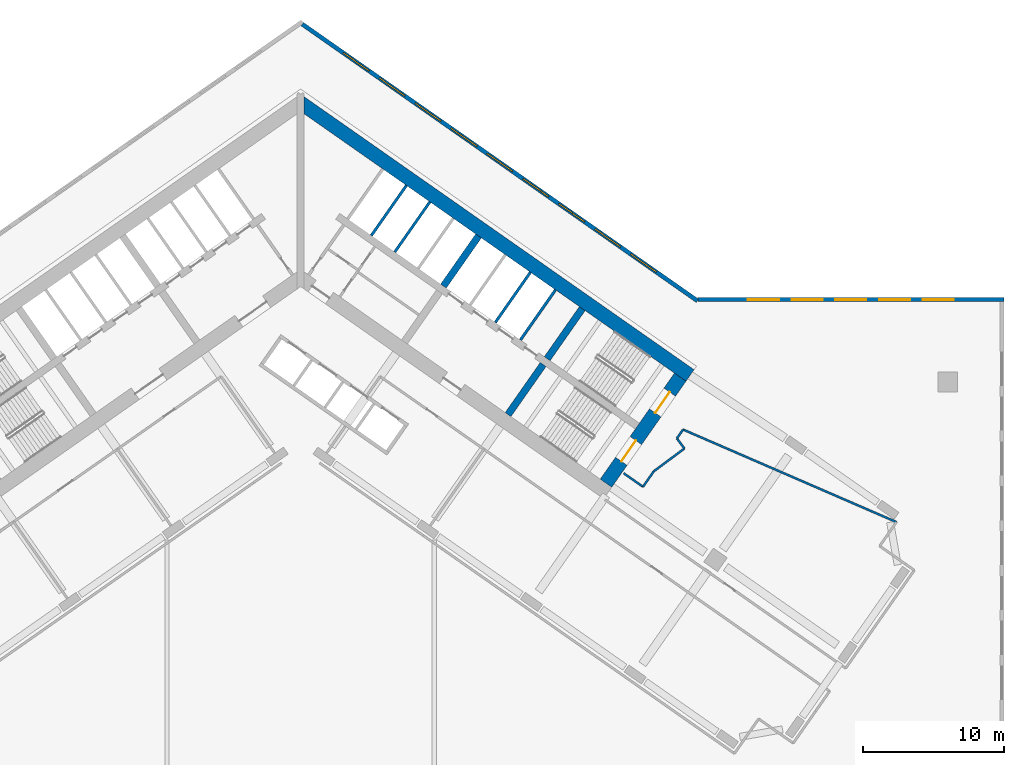
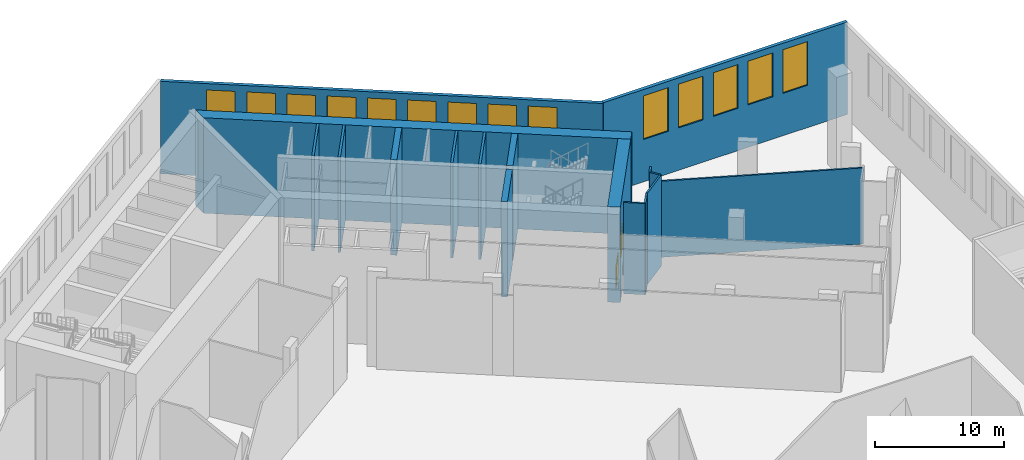
# One storey, part 12 of 27: 17 walls, 14 windows, 2 doors, 16 openings.
"""IFC4 building model written with IfcOpenShell, lengths in metres."""

from ifc_helpers import new_model, si_unit, direction, frame, frame_2d, origin, place, context, subcontext, project, spatial, polyline, rectangle, outline, extrude, material, layer, layer_set, type_object, element, fill, save


model = new_model("IFC4")

# Units and contexts
model_context = context("Model", 3, precision=1e-05, world=origin(), true_north=direction((0.0, 1.0)))
body_context = subcontext(model_context, "Body", "Model", "MODEL_VIEW")
ifc_project = project(units=[si_unit("LENGTHUNIT", "METRE"), si_unit("AREAUNIT", "SQUARE_METRE"), si_unit("VOLUMEUNIT", "CUBIC_METRE"), si_unit("PLANEANGLEUNIT", "RADIAN"), si_unit("MASSUNIT", "GRAM", prefix="KILO")], contexts=[model_context])

# Site, building, storey
site_placement = place(None, origin())
site = spatial("IfcSite", under=ifc_project, at=site_placement, CompositionType="ELEMENT")
building_placement = place(site_placement, origin())
building = spatial("IfcBuilding", under=site, at=building_placement, Name="Tel Ilan Convention Tower", CompositionType="ELEMENT")
storey_placement = place(building_placement, frame((0.0, 0.0, 9.0)))
storey = spatial("IfcBuildingStorey", under=building, at=storey_placement, Name="L01", CompositionType="ELEMENT", Elevation=9.0)

# Wall
ifc_material_1 = material(Name="Concrete C60/75", Category="concrete")
ifc_layer_1 = layer(ifc_material_1, 1.0)
ifc_layer_set_1 = layer_set([ifc_layer_1], Name="Core Shear Wall 1000 mm C60/75")
wall_type_1 = type_object("IfcWallType", Name="Core Shear Wall 1000 mm C60/75", PredefinedType="SHEAR", material=ifc_layer_set_1)
wall_1_placement = place(storey_placement, frame((-0.036865234375, 11.8671875, 0.0), z_axis=(0.0, 0.0, 1.0), x_axis=(0.819155306259, -0.573571777746, 0.0)))
element("IfcWall", 1, at=wall_1_placement, inside=storey, type_object=wall_type_1, Name="L01 core wall E-back", PredefinedType="SHEAR", context=body_context, shape_type="SweptSolid", body=[
    extrude(outline(polyline([(33.8369140625, 0.5), (0.0, 0.5), (0.7001953125, -0.499755859375), (33.8369140625, -0.5), (33.8369140625, 0.5)])), origin(), (0.0, 0.0, 1.0), 9.0),
])

# Wall, openings, doors
wall_2_placement = place(storey_placement, frame((21.70751953125, -15.19970703125, 0.0), z_axis=(0.0, 0.0, 1.0), x_axis=(0.573576324356, 0.819152122709, 0.0)))
wall_2 = element("IfcWall", 2, at=wall_2_placement, inside=storey, type_object=wall_type_1, Name="L01 core wall E-end", PredefinedType="SHEAR", context=body_context, shape_type="SweptSolid", body=[
    extrude(outline(polyline([(9.199951171875, 0.5), (0.0, 0.5), (0.0, -0.5), (9.199951171875, -0.5), (9.199951171875, 0.5)])), origin(), (0.0, 0.0, 1.0), 9.0),
])
opening_1_placement = place(wall_2_placement, frame((6.10009765625, 0.0, 0.0)))
opening_1 = element("IfcOpeningElement", 3, at=opening_1_placement, cuts=wall_2, Name="Opening SD0403", PredefinedType="OPENING", context=body_context, shape_type="SweptSolid", body=[
    extrude(rectangle(XDim=1.800048828125, YDim=2.10009765625, at=frame_2d((0.89990234375, 1.050048828125))), frame((0.0, 0.510009765625, 0.0), z_axis=(0.0, -1.0, 0.0), x_axis=(1.0, 0.0, 0.0)), (0.0, 0.0, 1.0), 1.02001953125),
])
opening_2_placement = place(wall_2_placement, frame((1.89990234375, 0.0, 0.0)))
opening_2 = element("IfcOpeningElement", 4, at=opening_2_placement, cuts=wall_2, Name="Opening SD0404", PredefinedType="OPENING", context=body_context, shape_type="SweptSolid", body=[
    extrude(rectangle(XDim=1.800048828125, YDim=2.10009765625, at=frame_2d((0.89990234375, 1.050048828125))), frame((0.0, 0.510009765625, 0.0), z_axis=(0.0, -1.0, 0.0), x_axis=(1.0, 0.0, 0.0)), (0.0, 0.0, 1.0), 1.02001953125),
])
ifc_material_2 = material(Name="Galvanised Steel Door Leaf", Category="steel")
door_type = type_object("IfcDoorType", Name="Stair Fire Door 1800 x 2100 FD60S", OperationType="NOTDEFINED", PredefinedType="DOOR", material=ifc_material_2)
door_1_placement = place(opening_1_placement, origin())
door_1 = element("IfcDoor", 5, at=door_1_placement, inside=storey, type_object=door_type, Name="Stair S3 door", OperationType="DOUBLE_DOOR_SINGLE_SWING", OverallHeight=2.10009765625, OverallWidth=1.800048828125, PredefinedType="DOOR", context=body_context, shape_type="SweptSolid", body=[
    extrude(rectangle(XDim=1.800048828125, YDim=2.10009765625, at=frame_2d((0.89990234375, 1.050048828125))), frame((0.0, 0.02490234375, 0.0), z_axis=(0.0, -1.0, 0.0), x_axis=(1.0, 0.0, 0.0)), (0.0, 0.0, 1.0), 0.050048828125),
])
fill(opening_1, door_1)
door_2_placement = place(opening_2_placement, origin())
door_2 = element("IfcDoor", 6, at=door_2_placement, inside=storey, type_object=door_type, Name="Stair S4 door", OperationType="DOUBLE_DOOR_SINGLE_SWING", OverallHeight=2.10009765625, OverallWidth=1.800048828125, PredefinedType="DOOR", context=body_context, shape_type="SweptSolid", body=[
    extrude(rectangle(XDim=1.800048828125, YDim=2.10009765625, at=frame_2d((0.89990234375, 1.050048828125))), frame((0.0, 0.02490234375, 0.0), z_axis=(0.0, -1.0, 0.0), x_axis=(1.0, 0.0, 0.0)), (0.0, 0.0, 1.0), 0.050048828125),
])
fill(opening_2, door_2)

# Walls
ifc_material_3 = material(Name="Concrete C60/75", Category="concrete")
ifc_layer_2 = layer(ifc_material_3, 0.5)
ifc_layer_set_2 = layer_set([ifc_layer_2], Name="Core Shear Wall 500 mm C60/75")
wall_type_2 = type_object("IfcWallType", Name="Core Shear Wall 500 mm C60/75", PredefinedType="SHEAR", material=ifc_layer_set_2)
wall_3_placement = place(storey_placement, frame((10.154296875, -1.189208984375, 0.0), z_axis=(0.0, 0.0, 1.0), x_axis=(0.573594173421, 0.819139624372, 0.0)))
element("IfcWall", 7, at=wall_3_placement, inside=storey, type_object=wall_type_2, Name="L01 core wall E-cross1-2", PredefinedType="SHEAR", context=body_context, shape_type="SweptSolid", body=[
    extrude(outline(polyline([(4.349853515625, -0.25), (4.349853515625, 0.25), (-0.000244140625, 0.25), (-0.000244140625, -0.25), (4.349853515625, -0.25)])), origin(), (0.0, 0.0, 1.0), 9.0),
])
wall_4_placement = place(storey_placement, frame((14.74462890625, -10.324462890625, 0.0), z_axis=(0.0, 0.0, 1.0), x_axis=(0.57356780395, 0.819158088694, 0.0)))
element("IfcWall", 8, at=wall_4_placement, inside=storey, type_object=wall_type_2, Name="L01 core wall E-cross2-1", PredefinedType="SHEAR", context=body_context, shape_type="SweptSolid", body=[
    extrude(outline(polyline([(0.0, 0.25), (0.0, -0.25), (4.35009765625, -0.250244140625), (4.35009765625, 0.25), (0.0, 0.25)])), origin(), (0.0, 0.0, 1.0), 9.0),
])
wall_5_placement = place(storey_placement, frame((17.526611328125, -6.3515625, 0.0), z_axis=(0.0, 0.0, 1.0), x_axis=(0.573530143085, 0.819184457233, 0.0)))
element("IfcWall", 9, at=wall_5_placement, inside=storey, type_object=wall_type_2, Name="L01 core wall E-cross2-2", PredefinedType="SHEAR", context=body_context, shape_type="SweptSolid", body=[
    extrude(outline(polyline([(4.35009765625, -0.250244140625), (4.35009765625, 0.249755859375), (0.0, 0.25), (0.0, -0.25), (4.35009765625, -0.250244140625)])), origin(), (0.0, 0.0, 1.0), 9.0),
])
ifc_material_4 = material(Name="Plasterboard on Steel Studs", Category="steel")
ifc_layer_3 = layer(ifc_material_4, 0.14990234375)
ifc_layer_set_3 = layer_set([ifc_layer_3], Name="Fire-rated Partition 150 EI 60")
wall_type_3 = type_object("IfcWallType", Name="Fire-rated Partition 150 EI 60", PredefinedType="PARTITIONING", material=ifc_layer_set_3)
wall_6_placement = place(storey_placement, frame((26.74609375, -12.013671875, 0.0), z_axis=(0.0, 0.0, 1.0), x_axis=(0.573761975376, 0.819022097146, 0.0)))
element("IfcWall", 10, at=wall_6_placement, inside=storey, type_object=wall_type_3, Name="Partition 012", PredefinedType="PARTITIONING", context=body_context, shape_type="SweptSolid", body=[
    extrude(rectangle(XDim=0.765380859375, YDim=0.14990234375, at=frame_2d((0.3828125, 0.0))), origin(), (0.0, 0.0, 1.0), 8.60009765625),
])
wall_7_placement = place(storey_placement, frame((27.185302734375, -11.38671875, 0.0), z_axis=(0.0, 0.0, 1.0), x_axis=(0.917531384635, -0.397663372979, 0.0)))
element("IfcWall", 11, at=wall_7_placement, inside=storey, type_object=wall_type_3, Name="Partition 013", PredefinedType="PARTITIONING", context=body_context, shape_type="SweptSolid", body=[
    extrude(rectangle(XDim=16.535888671875, YDim=0.14990234375, at=frame_2d((8.26806640625, 0.0))), origin(), (0.0, 0.0, 1.0), 7.179931640625),
])
wall_8_placement = place(storey_placement, frame((22.961181640625, -14.490478515625, 0.0), z_axis=(0.0, 0.0, 1.0), x_axis=(0.819109000826, -0.573637903879, 0.0)))
element("IfcWall", 12, at=wall_8_placement, inside=storey, type_object=wall_type_3, Name="Partition 014", PredefinedType="PARTITIONING", context=body_context, shape_type="SweptSolid", body=[
    extrude(rectangle(XDim=1.679931640625, YDim=0.14990234375, at=frame_2d((0.83984375, 0.0))), origin(), (0.0, 0.0, 1.0), 8.60009765625),
])
wall_9_placement = place(storey_placement, frame((24.337158203125, -15.4541015625, 0.0), z_axis=(0.0, 0.0, 1.0), x_axis=(0.573571252353, 0.819155674139, 0.0)))
element("IfcWall", 13, at=wall_9_placement, inside=storey, type_object=wall_type_3, Name="Partition 015", PredefinedType="PARTITIONING", context=body_context, shape_type="SweptSolid", body=[
    extrude(rectangle(XDim=1.35400390625, YDim=0.14990234375, at=frame_2d((0.677001953125, 0.0))), origin(), (0.0, 0.0, 1.0), 8.60009765625),
])
wall_10_placement = place(storey_placement, frame((25.11376953125, -14.344970703125, 0.0), z_axis=(0.0, 0.0, 1.0), x_axis=(0.803211070557, 0.595694532571, 0.0)))
element("IfcWall", 14, at=wall_10_placement, inside=storey, type_object=wall_type_3, Name="Partition 016", PredefinedType="PARTITIONING", context=body_context, shape_type="SweptSolid", body=[
    extrude(rectangle(XDim=2.699951171875, YDim=0.14990234375, at=frame_2d((1.35009765625, 0.0))), origin(), (0.0, 0.0, 1.0), 8.60009765625),
])
wall_11_placement = place(storey_placement, frame((27.282470703125, -12.736572265625, 0.0), z_axis=(0.0, 0.0, 1.0), x_axis=(-0.595869495235, 0.803081281471, 0.0)))
element("IfcWall", 15, at=wall_11_placement, inside=storey, type_object=wall_type_3, Name="Partition 017", PredefinedType="PARTITIONING", context=body_context, shape_type="SweptSolid", body=[
    extrude(rectangle(XDim=0.900146484375, YDim=0.14990234375, at=frame_2d((0.4501953125, 0.0))), origin(), (0.0, 0.0, 1.0), 8.60009765625),
])
ifc_material_5 = material(Name="Concrete C30/37", Category="concrete")
ifc_layer_4 = layer(ifc_material_5, 0.199951171875)
ifc_layer_set_4 = layer_set([ifc_layer_4], Name="Lift Shaft Wall 200 mm C30/37")
wall_type_4 = type_object("IfcWallType", Name="Lift Shaft Wall 200 mm C30/37", PredefinedType="SOLIDWALL", material=ifc_layer_set_4)
wall_12_placement = place(storey_placement, frame((5.0244140625, 2.402587890625, 0.0), z_axis=(0.0, 0.0, 1.0), x_axis=(0.573530143085, 0.819184457233, 0.0)))
element("IfcWall", 16, at=wall_12_placement, inside=storey, type_object=wall_type_4, Name="L01 core wall bank-E1-p0", PredefinedType="SOLIDWALL", context=body_context, shape_type="SweptSolid", body=[
    extrude(rectangle(XDim=4.35009765625, YDim=0.199951171875, at=frame_2d((2.175048828125, 0.0))), origin(), (0.0, 0.0, 1.0), 9.0),
])
wall_13_placement = place(storey_placement, frame((6.693359375, 1.234130859375, 0.0), z_axis=(0.0, 0.0, 1.0), x_axis=(0.573594173421, 0.819139624372, 0.0)))
element("IfcWall", 17, at=wall_13_placement, inside=storey, type_object=wall_type_4, Name="L01 core wall bank-E1-p1", PredefinedType="SOLIDWALL", context=body_context, shape_type="SweptSolid", body=[
    extrude(rectangle(XDim=4.349853515625, YDim=0.199951171875, at=frame_2d((2.1748046875, 0.0))), origin(), (0.0, 0.0, 1.0), 9.0),
])
wall_14_placement = place(storey_placement, frame((13.84033203125, -3.7705078125, 0.0), z_axis=(0.0, 0.0, 1.0), x_axis=(0.57356780395, 0.819158088694, 0.0)))
element("IfcWall", 18, at=wall_14_placement, inside=storey, type_object=wall_type_4, Name="L01 core wall bank-E2-p1", PredefinedType="SOLIDWALL", context=body_context, shape_type="SweptSolid", body=[
    extrude(rectangle(XDim=4.35009765625, YDim=0.199951171875, at=frame_2d((2.175048828125, 0.0))), origin(), (0.0, 0.0, 1.0), 9.0),
])
wall_15_placement = place(storey_placement, frame((15.6220703125, -5.017822265625, 0.0), z_axis=(0.0, 0.0, 1.0), x_axis=(0.573594173421, 0.819139624372, 0.0)))
element("IfcWall", 19, at=wall_15_placement, inside=storey, type_object=wall_type_4, Name="L01 core wall bank-E2-p2", PredefinedType="SOLIDWALL", context=body_context, shape_type="SweptSolid", body=[
    extrude(rectangle(XDim=4.349853515625, YDim=0.199951171875, at=frame_2d((2.1748046875, 0.0))), origin(), (0.0, 0.0, 1.0), 9.0),
])

# Wall, openings, windows
ifc_material_6 = material(Name="Bronze aluminium cladding panel on insulated steel frame", Category="steel")
ifc_layer_5 = layer(ifc_material_6, 0.300048828125)
ifc_layer_set_5 = layer_set([ifc_layer_5], Name="PODIUM CLADDING WALL 300")
wall_type_5 = type_object("IfcWallType", Name="PODIUM CLADDING WALL 300", PredefinedType="SOLIDWALL", material=ifc_layer_set_5)
wall_16_placement = place(storey_placement, frame((0.122802734375, 17.43212890625, 0.0), z_axis=(0.0, 0.0, 1.0), x_axis=(0.819151970339, -0.573576541963, 0.0)))
wall_16 = element("IfcWall", 20, at=wall_16_placement, inside=storey, type_object=wall_type_5, Name="Podium cladding wall", PredefinedType="SOLIDWALL", context=body_context, shape_type="SweptSolid", body=[
    extrude(rectangle(XDim=34.29052734375, YDim=0.300048828125, at=frame_2d((17.145263671875, 0.0))), origin(), (0.0, 0.0, 1.0), 8.719970703125),
])
opening_3_placement = place(wall_16_placement, frame((3.5673828125, 0.0, 4.0)))
opening_3 = element("IfcOpeningElement", 21, at=opening_3_placement, cuts=wall_16, Name="Opening W-04.040", PredefinedType="OPENING", context=body_context, shape_type="SweptSolid", body=[
    extrude(rectangle(XDim=2.21728515625, YDim=4.1201171875, at=frame_2d((1.108642578125, 2.06005859375))), frame((0.0, 0.159912109375, 0.0), z_axis=(0.0, -1.0, 0.0), x_axis=(1.0, 0.0, 0.0)), (0.0, 0.0, 1.0), 0.320068359375),
])
opening_4_placement = place(wall_16_placement, frame((6.6845703125, 0.0, 4.0)))
opening_4 = element("IfcOpeningElement", 22, at=opening_4_placement, cuts=wall_16, Name="Opening W-04.041", PredefinedType="OPENING", context=body_context, shape_type="SweptSolid", body=[
    extrude(rectangle(XDim=2.21728515625, YDim=4.1201171875, at=frame_2d((1.108642578125, 2.06005859375))), frame((0.0, 0.159912109375, 0.0), z_axis=(0.0, -1.0, 0.0), x_axis=(1.0, 0.0, 0.0)), (0.0, 0.0, 1.0), 0.320068359375),
])
opening_5_placement = place(wall_16_placement, frame((9.802001953125, 0.0, 4.0)))
opening_5 = element("IfcOpeningElement", 23, at=opening_5_placement, cuts=wall_16, Name="Opening W-04.042", PredefinedType="OPENING", context=body_context, shape_type="SweptSolid", body=[
    extrude(rectangle(XDim=2.21728515625, YDim=4.1201171875, at=frame_2d((1.108642578125, 2.06005859375))), frame((0.0, 0.159912109375, 0.0), z_axis=(0.0, -1.0, 0.0), x_axis=(1.0, 0.0, 0.0)), (0.0, 0.0, 1.0), 0.320068359375),
])
opening_6_placement = place(wall_16_placement, frame((12.919189453125, 0.0, 4.0)))
opening_6 = element("IfcOpeningElement", 24, at=opening_6_placement, cuts=wall_16, Name="Opening W-04.043", PredefinedType="OPENING", context=body_context, shape_type="SweptSolid", body=[
    extrude(rectangle(XDim=2.21728515625, YDim=4.1201171875, at=frame_2d((1.108642578125, 2.06005859375))), frame((0.0, 0.159912109375, 0.0), z_axis=(0.0, -1.0, 0.0), x_axis=(1.0, 0.0, 0.0)), (0.0, 0.0, 1.0), 0.320068359375),
])
opening_7_placement = place(wall_16_placement, frame((16.03662109375, 0.0, 4.0)))
opening_7 = element("IfcOpeningElement", 25, at=opening_7_placement, cuts=wall_16, Name="Opening W-04.044", PredefinedType="OPENING", context=body_context, shape_type="SweptSolid", body=[
    extrude(rectangle(XDim=2.21728515625, YDim=4.1201171875, at=frame_2d((1.108642578125, 2.06005859375))), frame((0.0, 0.159912109375, 0.0), z_axis=(0.0, -1.0, 0.0), x_axis=(1.0, 0.0, 0.0)), (0.0, 0.0, 1.0), 0.320068359375),
])
opening_8_placement = place(wall_16_placement, frame((19.15380859375, 0.0, 4.0)))
opening_8 = element("IfcOpeningElement", 26, at=opening_8_placement, cuts=wall_16, Name="Opening W-04.045", PredefinedType="OPENING", context=body_context, shape_type="SweptSolid", body=[
    extrude(rectangle(XDim=2.21728515625, YDim=4.1201171875, at=frame_2d((1.108642578125, 2.06005859375))), frame((0.0, 0.159912109375, 0.0), z_axis=(0.0, -1.0, 0.0), x_axis=(1.0, 0.0, 0.0)), (0.0, 0.0, 1.0), 0.320068359375),
])
opening_9_placement = place(wall_16_placement, frame((22.27099609375, 0.0, 4.0)))
opening_9 = element("IfcOpeningElement", 27, at=opening_9_placement, cuts=wall_16, Name="Opening W-04.046", PredefinedType="OPENING", context=body_context, shape_type="SweptSolid", body=[
    extrude(rectangle(XDim=2.21728515625, YDim=4.1201171875, at=frame_2d((1.108642578125, 2.06005859375))), frame((0.0, 0.159912109375, 0.0), z_axis=(0.0, -1.0, 0.0), x_axis=(1.0, 0.0, 0.0)), (0.0, 0.0, 1.0), 0.320068359375),
])
opening_10_placement = place(wall_16_placement, frame((25.388427734375, 0.0, 4.0)))
opening_10 = element("IfcOpeningElement", 28, at=opening_10_placement, cuts=wall_16, Name="Opening W-04.047", PredefinedType="OPENING", context=body_context, shape_type="SweptSolid", body=[
    extrude(rectangle(XDim=2.21728515625, YDim=4.1201171875, at=frame_2d((1.108642578125, 2.06005859375))), frame((0.0, 0.159912109375, 0.0), z_axis=(0.0, -1.0, 0.0), x_axis=(1.0, 0.0, 0.0)), (0.0, 0.0, 1.0), 0.320068359375),
])
opening_11_placement = place(wall_16_placement, frame((28.505615234375, 0.0, 4.0)))
opening_11 = element("IfcOpeningElement", 29, at=opening_11_placement, cuts=wall_16, Name="Opening W-04.048", PredefinedType="OPENING", context=body_context, shape_type="SweptSolid", body=[
    extrude(rectangle(XDim=2.21728515625, YDim=4.1201171875, at=frame_2d((1.108642578125, 2.06005859375))), frame((0.0, 0.159912109375, 0.0), z_axis=(0.0, -1.0, 0.0), x_axis=(1.0, 0.0, 0.0)), (0.0, 0.0, 1.0), 0.320068359375),
])
ifc_material_7 = material(Name="Aluminium framed glazing, bronze anodised, tinted glass", Category="aluminium")
window_type_1 = type_object("IfcWindowType", Name="PODIUM WINDOW 2217x4120", PartitioningType="SINGLE_PANEL", PredefinedType="WINDOW", material=ifc_material_7)
window_1_placement = place(opening_3_placement, origin())
window_1 = element("IfcWindow", 30, at=window_1_placement, inside=storey, type_object=window_type_1, Name="Podium window", OverallHeight=4.1201171875, OverallWidth=2.21728515625, PartitioningType="SINGLE_PANEL", PredefinedType="WINDOW", context=body_context, shape_type="SweptSolid", body=[
    extrude(rectangle(XDim=2.21728515625, YDim=4.1201171875, at=frame_2d((1.108642578125, 2.06005859375))), frame((0.0, 0.030029296875, 0.0), z_axis=(0.0, -1.0, 0.0), x_axis=(1.0, 0.0, 0.0)), (0.0, 0.0, 1.0), 0.06005859375),
])
fill(opening_3, window_1)
window_2_placement = place(opening_4_placement, origin())
window_2 = element("IfcWindow", 31, at=window_2_placement, inside=storey, type_object=window_type_1, Name="Podium window", OverallHeight=4.1201171875, OverallWidth=2.21728515625, PartitioningType="SINGLE_PANEL", PredefinedType="WINDOW", context=body_context, shape_type="SweptSolid", body=[
    extrude(rectangle(XDim=2.21728515625, YDim=4.1201171875, at=frame_2d((1.108642578125, 2.06005859375))), frame((0.0, 0.030029296875, 0.0), z_axis=(0.0, -1.0, 0.0), x_axis=(1.0, 0.0, 0.0)), (0.0, 0.0, 1.0), 0.06005859375),
])
fill(opening_4, window_2)
window_3_placement = place(opening_5_placement, origin())
window_3 = element("IfcWindow", 32, at=window_3_placement, inside=storey, type_object=window_type_1, Name="Podium window", OverallHeight=4.1201171875, OverallWidth=2.21728515625, PartitioningType="SINGLE_PANEL", PredefinedType="WINDOW", context=body_context, shape_type="SweptSolid", body=[
    extrude(rectangle(XDim=2.21728515625, YDim=4.1201171875, at=frame_2d((1.108642578125, 2.06005859375))), frame((0.0, 0.030029296875, 0.0), z_axis=(0.0, -1.0, 0.0), x_axis=(1.0, 0.0, 0.0)), (0.0, 0.0, 1.0), 0.06005859375),
])
fill(opening_5, window_3)
window_4_placement = place(opening_6_placement, origin())
window_4 = element("IfcWindow", 33, at=window_4_placement, inside=storey, type_object=window_type_1, Name="Podium window", OverallHeight=4.1201171875, OverallWidth=2.21728515625, PartitioningType="SINGLE_PANEL", PredefinedType="WINDOW", context=body_context, shape_type="SweptSolid", body=[
    extrude(rectangle(XDim=2.21728515625, YDim=4.1201171875, at=frame_2d((1.108642578125, 2.06005859375))), frame((0.0, 0.030029296875, 0.0), z_axis=(0.0, -1.0, 0.0), x_axis=(1.0, 0.0, 0.0)), (0.0, 0.0, 1.0), 0.06005859375),
])
fill(opening_6, window_4)
window_5_placement = place(opening_7_placement, origin())
window_5 = element("IfcWindow", 34, at=window_5_placement, inside=storey, type_object=window_type_1, Name="Podium window", OverallHeight=4.1201171875, OverallWidth=2.21728515625, PartitioningType="SINGLE_PANEL", PredefinedType="WINDOW", context=body_context, shape_type="SweptSolid", body=[
    extrude(rectangle(XDim=2.21728515625, YDim=4.1201171875, at=frame_2d((1.108642578125, 2.06005859375))), frame((0.0, 0.030029296875, 0.0), z_axis=(0.0, -1.0, 0.0), x_axis=(1.0, 0.0, 0.0)), (0.0, 0.0, 1.0), 0.06005859375),
])
fill(opening_7, window_5)
window_6_placement = place(opening_8_placement, origin())
window_6 = element("IfcWindow", 35, at=window_6_placement, inside=storey, type_object=window_type_1, Name="Podium window", OverallHeight=4.1201171875, OverallWidth=2.21728515625, PartitioningType="SINGLE_PANEL", PredefinedType="WINDOW", context=body_context, shape_type="SweptSolid", body=[
    extrude(rectangle(XDim=2.21728515625, YDim=4.1201171875, at=frame_2d((1.108642578125, 2.06005859375))), frame((0.0, 0.030029296875, 0.0), z_axis=(0.0, -1.0, 0.0), x_axis=(1.0, 0.0, 0.0)), (0.0, 0.0, 1.0), 0.06005859375),
])
fill(opening_8, window_6)
window_7_placement = place(opening_9_placement, origin())
window_7 = element("IfcWindow", 36, at=window_7_placement, inside=storey, type_object=window_type_1, Name="Podium window", OverallHeight=4.1201171875, OverallWidth=2.21728515625, PartitioningType="SINGLE_PANEL", PredefinedType="WINDOW", context=body_context, shape_type="SweptSolid", body=[
    extrude(rectangle(XDim=2.21728515625, YDim=4.1201171875, at=frame_2d((1.108642578125, 2.06005859375))), frame((0.0, 0.030029296875, 0.0), z_axis=(0.0, -1.0, 0.0), x_axis=(1.0, 0.0, 0.0)), (0.0, 0.0, 1.0), 0.06005859375),
])
fill(opening_9, window_7)
window_8_placement = place(opening_10_placement, origin())
window_8 = element("IfcWindow", 37, at=window_8_placement, inside=storey, type_object=window_type_1, Name="Podium window", OverallHeight=4.1201171875, OverallWidth=2.21728515625, PartitioningType="SINGLE_PANEL", PredefinedType="WINDOW", context=body_context, shape_type="SweptSolid", body=[
    extrude(rectangle(XDim=2.21728515625, YDim=4.1201171875, at=frame_2d((1.108642578125, 2.06005859375))), frame((0.0, 0.030029296875, 0.0), z_axis=(0.0, -1.0, 0.0), x_axis=(1.0, 0.0, 0.0)), (0.0, 0.0, 1.0), 0.06005859375),
])
fill(opening_10, window_8)
window_9_placement = place(opening_11_placement, origin())
window_9 = element("IfcWindow", 38, at=window_9_placement, inside=storey, type_object=window_type_1, Name="Podium window", OverallHeight=4.1201171875, OverallWidth=2.21728515625, PartitioningType="SINGLE_PANEL", PredefinedType="WINDOW", context=body_context, shape_type="SweptSolid", body=[
    extrude(rectangle(XDim=2.21728515625, YDim=4.1201171875, at=frame_2d((1.108642578125, 2.06005859375))), frame((0.0, 0.030029296875, 0.0), z_axis=(0.0, -1.0, 0.0), x_axis=(1.0, 0.0, 0.0)), (0.0, 0.0, 1.0), 0.06005859375),
])
fill(opening_11, window_9)

wall_17_placement = place(storey_placement, frame((28.239013671875, -2.14990234375, 0.0), z_axis=(0.0, 0.0, 1.0), x_axis=(1.0, 0.0, 0.0)))
wall_17 = element("IfcWall", 39, at=wall_17_placement, inside=storey, type_object=wall_type_5, Name="Podium cladding wall", PredefinedType="SOLIDWALL", context=body_context, shape_type="SweptSolid", body=[
    extrude(rectangle(XDim=21.760986328125, YDim=0.300048828125, at=frame_2d((10.88037109375, 0.0))), origin(), (0.0, 0.0, 1.0), 8.719970703125),
])
opening_12_placement = place(wall_17_placement, frame((3.558837890625, 0.0, 4.0)))
opening_12 = element("IfcOpeningElement", 40, at=opening_12_placement, cuts=wall_17, Name="Opening W-04.049", PredefinedType="OPENING", context=body_context, shape_type="SweptSolid", body=[
    extrude(rectangle(XDim=2.208740234375, YDim=4.1201171875, at=frame_2d((1.1044921875, 2.06005859375))), frame((0.0, 0.159912109375, 0.0), z_axis=(0.0, -1.0, 0.0), x_axis=(1.0, 0.0, 0.0)), (0.0, 0.0, 1.0), 0.320068359375),
])
opening_13_placement = place(wall_17_placement, frame((6.66748046875, 0.0, 4.0)))
opening_13 = element("IfcOpeningElement", 41, at=opening_13_placement, cuts=wall_17, Name="Opening W-04.050", PredefinedType="OPENING", context=body_context, shape_type="SweptSolid", body=[
    extrude(rectangle(XDim=2.208740234375, YDim=4.1201171875, at=frame_2d((1.1044921875, 2.06005859375))), frame((0.0, 0.159912109375, 0.0), z_axis=(0.0, -1.0, 0.0), x_axis=(1.0, 0.0, 0.0)), (0.0, 0.0, 1.0), 0.320068359375),
])
opening_14_placement = place(wall_17_placement, frame((9.776123046875, 0.0, 4.0)))
opening_14 = element("IfcOpeningElement", 42, at=opening_14_placement, cuts=wall_17, Name="Opening W-04.051", PredefinedType="OPENING", context=body_context, shape_type="SweptSolid", body=[
    extrude(rectangle(XDim=2.208740234375, YDim=4.1201171875, at=frame_2d((1.1044921875, 2.06005859375))), frame((0.0, 0.159912109375, 0.0), z_axis=(0.0, -1.0, 0.0), x_axis=(1.0, 0.0, 0.0)), (0.0, 0.0, 1.0), 0.320068359375),
])
opening_15_placement = place(wall_17_placement, frame((12.884765625, 0.0, 4.0)))
opening_15 = element("IfcOpeningElement", 43, at=opening_15_placement, cuts=wall_17, Name="Opening W-04.052", PredefinedType="OPENING", context=body_context, shape_type="SweptSolid", body=[
    extrude(rectangle(XDim=2.208740234375, YDim=4.1201171875, at=frame_2d((1.1044921875, 2.06005859375))), frame((0.0, 0.159912109375, 0.0), z_axis=(0.0, -1.0, 0.0), x_axis=(1.0, 0.0, 0.0)), (0.0, 0.0, 1.0), 0.320068359375),
])
opening_16_placement = place(wall_17_placement, frame((15.99365234375, 0.0, 4.0)))
opening_16 = element("IfcOpeningElement", 44, at=opening_16_placement, cuts=wall_17, Name="Opening W-04.053", PredefinedType="OPENING", context=body_context, shape_type="SweptSolid", body=[
    extrude(rectangle(XDim=2.208740234375, YDim=4.1201171875, at=frame_2d((1.1044921875, 2.06005859375))), frame((0.0, 0.159912109375, 0.0), z_axis=(0.0, -1.0, 0.0), x_axis=(1.0, 0.0, 0.0)), (0.0, 0.0, 1.0), 0.320068359375),
])
ifc_material_8 = material(Name="Aluminium framed glazing, bronze anodised, tinted glass", Category="aluminium")
window_type_2 = type_object("IfcWindowType", Name="PODIUM WINDOW 2209x4120", PartitioningType="SINGLE_PANEL", PredefinedType="WINDOW", material=ifc_material_8)
window_10_placement = place(opening_12_placement, origin())
window_10 = element("IfcWindow", 45, at=window_10_placement, inside=storey, type_object=window_type_2, Name="Podium window", OverallHeight=4.1201171875, OverallWidth=2.208740234375, PartitioningType="SINGLE_PANEL", PredefinedType="WINDOW", context=body_context, shape_type="SweptSolid", body=[
    extrude(rectangle(XDim=2.208740234375, YDim=4.1201171875, at=frame_2d((1.1044921875, 2.06005859375))), frame((0.0, 0.030029296875, 0.0), z_axis=(0.0, -1.0, 0.0), x_axis=(1.0, 0.0, 0.0)), (0.0, 0.0, 1.0), 0.06005859375),
])
fill(opening_12, window_10)
window_11_placement = place(opening_13_placement, origin())
window_11 = element("IfcWindow", 46, at=window_11_placement, inside=storey, type_object=window_type_2, Name="Podium window", OverallHeight=4.1201171875, OverallWidth=2.208740234375, PartitioningType="SINGLE_PANEL", PredefinedType="WINDOW", context=body_context, shape_type="SweptSolid", body=[
    extrude(rectangle(XDim=2.208740234375, YDim=4.1201171875, at=frame_2d((1.1044921875, 2.06005859375))), frame((0.0, 0.030029296875, 0.0), z_axis=(0.0, -1.0, 0.0), x_axis=(1.0, 0.0, 0.0)), (0.0, 0.0, 1.0), 0.06005859375),
])
fill(opening_13, window_11)
window_12_placement = place(opening_14_placement, origin())
window_12 = element("IfcWindow", 47, at=window_12_placement, inside=storey, type_object=window_type_2, Name="Podium window", OverallHeight=4.1201171875, OverallWidth=2.208740234375, PartitioningType="SINGLE_PANEL", PredefinedType="WINDOW", context=body_context, shape_type="SweptSolid", body=[
    extrude(rectangle(XDim=2.208740234375, YDim=4.1201171875, at=frame_2d((1.1044921875, 2.06005859375))), frame((0.0, 0.030029296875, 0.0), z_axis=(0.0, -1.0, 0.0), x_axis=(1.0, 0.0, 0.0)), (0.0, 0.0, 1.0), 0.06005859375),
])
fill(opening_14, window_12)
window_13_placement = place(opening_15_placement, origin())
window_13 = element("IfcWindow", 48, at=window_13_placement, inside=storey, type_object=window_type_2, Name="Podium window", OverallHeight=4.1201171875, OverallWidth=2.208740234375, PartitioningType="SINGLE_PANEL", PredefinedType="WINDOW", context=body_context, shape_type="SweptSolid", body=[
    extrude(rectangle(XDim=2.208740234375, YDim=4.1201171875, at=frame_2d((1.1044921875, 2.06005859375))), frame((0.0, 0.030029296875, 0.0), z_axis=(0.0, -1.0, 0.0), x_axis=(1.0, 0.0, 0.0)), (0.0, 0.0, 1.0), 0.06005859375),
])
fill(opening_15, window_13)
window_14_placement = place(opening_16_placement, origin())
window_14 = element("IfcWindow", 49, at=window_14_placement, inside=storey, type_object=window_type_2, Name="Podium window", OverallHeight=4.1201171875, OverallWidth=2.208740234375, PartitioningType="SINGLE_PANEL", PredefinedType="WINDOW", context=body_context, shape_type="SweptSolid", body=[
    extrude(rectangle(XDim=2.208740234375, YDim=4.1201171875, at=frame_2d((1.1044921875, 2.06005859375))), frame((0.0, 0.030029296875, 0.0), z_axis=(0.0, -1.0, 0.0), x_axis=(1.0, 0.0, 0.0)), (0.0, 0.0, 1.0), 0.06005859375),
])
fill(opening_16, window_14)

save(model, "model.ifc")
